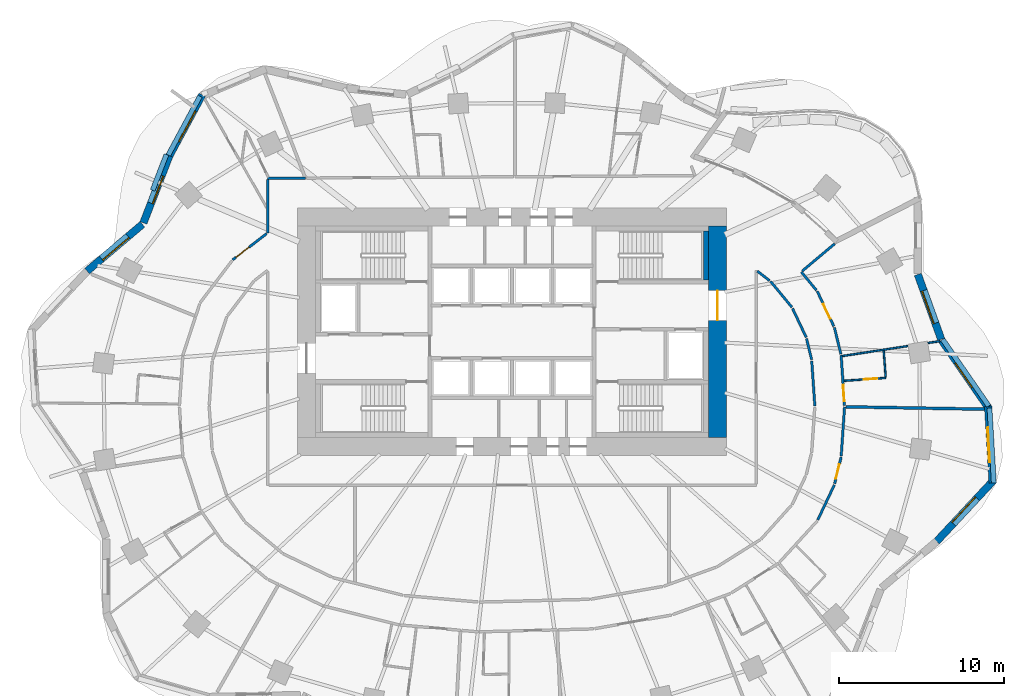
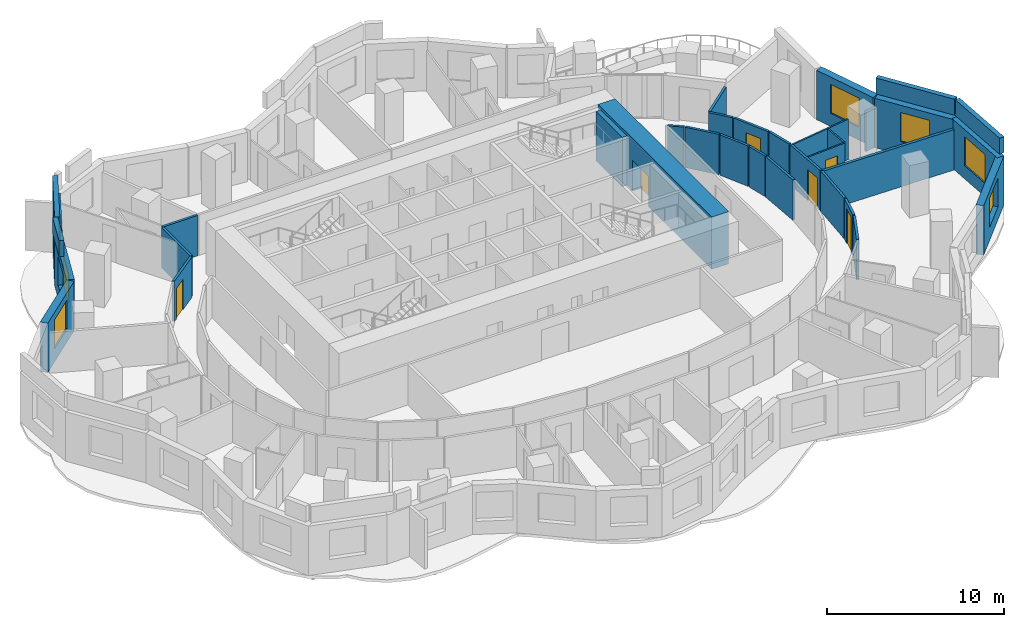
# One storey, part 9 of 14: 34 walls, 7 windows, 6 doors, 13 openings.
"""IFC4 building model written with IfcOpenShell, lengths in metres."""

from ifc_helpers import new_model, si_unit, direction, frame, frame_2d, origin, place, context, subcontext, project, spatial, rectangle, extrude, material, layer, layer_set, type_object, element, fill, save


model = new_model("IFC4")

# Units and contexts
model_context = context("Model", 3, precision=1e-05, world=origin(), true_north=direction((0.0, 1.0)))
body_context = subcontext(model_context, "Body", "Model", "MODEL_VIEW")
ifc_project = project(units=[si_unit("LENGTHUNIT", "METRE"), si_unit("AREAUNIT", "SQUARE_METRE"), si_unit("VOLUMEUNIT", "CUBIC_METRE"), si_unit("PLANEANGLEUNIT", "RADIAN"), si_unit("MASSUNIT", "GRAM", prefix="KILO")], contexts=[model_context])

# Site, building, storey
site_placement = place(None, origin())
site = spatial("IfcSite", under=ifc_project, at=site_placement, CompositionType="ELEMENT")
building_placement = place(site_placement, origin())
building = spatial("IfcBuilding", under=site, at=building_placement, Name="Rubra Terraces Tower", CompositionType="ELEMENT")
storey_placement = place(building_placement, frame((0.0, 0.0, 103.199951171875)))
storey = spatial("IfcBuildingStorey", under=building, at=storey_placement, Name="L24", CompositionType="ELEMENT", Elevation=103.199951171875)

# Wall
ifc_material_1 = material(Name="Twin plasterboard on staggered steel stud, acoustic mineral wool", Category="steel")
ifc_layer_1 = layer(ifc_material_1, 0.175048828125)
ifc_layer_set_1 = layer_set([ifc_layer_1], Name="Twin plasterboard on staggered steel stud, acoustic mineral wool")
wall_type_1 = type_object("IfcWallType", Name="ACOUSTIC PARTY WALL 175", PredefinedType="PARTITIONING", material=ifc_layer_set_1)
wall_1_placement = place(storey_placement, frame((28.623046875, -0.185302734375, 0.0), z_axis=(0.0, 0.0, 1.0), x_axis=(-0.999854560911, 0.017054530925, 0.0)))
element("IfcWall", 1, at=wall_1_placement, inside=storey, type_object=wall_type_1, Name="PARTITION", PredefinedType="PARTITIONING", context=body_context, shape_type="SweptSolid", body=[
    extrude(rectangle(XDim=8.403076171875, YDim=0.175048828125, at=frame_2d((4.20166015625, 0.0))), origin(), (0.0, 0.0, 1.0), 2.783935546875),
])

# Wall, opening, window
ifc_material_2 = material(Name="Brick masonry red-brown", Category="masonry")
ifc_layer_2 = layer(ifc_material_2, 0.449951171875)
ifc_layer_set_2 = layer_set([ifc_layer_2], Name="Brick masonry red-brown")
wall_type_2 = type_object("IfcWallType", Name="Brick facade wall 450", PredefinedType="SOLIDWALL", material=ifc_layer_set_2)
wall_2_placement = place(storey_placement, frame((28.87841796875, -0.122802734375, 0.0), z_axis=(0.0, 0.0, 1.0), x_axis=(-0.569394732999, 0.8220642542, 0.0)))
wall_2 = element("IfcWall", 2, at=wall_2_placement, inside=storey, type_object=wall_type_2, Name="Facade wall L24 bay 1", PredefinedType="SOLIDWALL", context=body_context, shape_type="SweptSolid", body=[
    extrude(rectangle(XDim=5.015869140625, YDim=0.449951171875, at=frame_2d((2.5078125, 0.0))), origin(), (0.0, 0.0, 1.0), 3.400146484375),
])
opening_1_placement = place(wall_2_placement, frame((1.60791015625, 0.0, 0.89990234375)))
opening_1 = element("IfcOpeningElement", 3, at=opening_1_placement, cuts=wall_2, Name="Opening W6", PredefinedType="OPENING", context=body_context, shape_type="SweptSolid", body=[
    extrude(rectangle(XDim=1.800048828125, YDim=2.0, at=frame_2d((0.89990234375, 1.0))), frame((0.0, 0.23486328125, 0.0), z_axis=(0.0, -1.0, 0.0), x_axis=(1.0, 0.0, 0.0)), (0.0, 0.0, 1.0), 0.469970703125),
])
ifc_material_3 = material(Name="Clear glass in aluminium frame", Category="aluminium")
window_type_1 = type_object("IfcWindowType", Name="Fixed deep-set window at wind fin 1800 x 2000", PartitioningType="SINGLE_PANEL", PredefinedType="WINDOW", material=ifc_material_3)
window_1_placement = place(opening_1_placement, origin())
window_1 = element("IfcWindow", 4, at=window_1_placement, inside=storey, type_object=window_type_1, Name="Window L24 bay 1", OverallHeight=2.0, OverallWidth=1.800048828125, PartitioningType="SINGLE_PANEL", PredefinedType="WINDOW", context=body_context, shape_type="SweptSolid", body=[
    extrude(rectangle(XDim=1.800048828125, YDim=2.0, at=frame_2d((0.89990234375, 1.0))), frame((0.0, 0.135009765625, 0.0), z_axis=(0.0, -1.0, 0.0), x_axis=(1.0, 0.0, 0.0)), (0.0, 0.0, 1.0), 0.06005859375),
])
fill(opening_1, window_1)

wall_3_placement = place(storey_placement, frame((25.99951171875, 4.047119140625, 0.0), z_axis=(0.0, 0.0, 1.0), x_axis=(-0.338924456066, 0.940813591037, 0.0)))
wall_3 = element("IfcWall", 5, at=wall_3_placement, inside=storey, type_object=wall_type_2, Name="Facade wall L24 bay 2", PredefinedType="SOLIDWALL", context=body_context, shape_type="SweptSolid", body=[
    extrude(rectangle(XDim=4.175048828125, YDim=0.449951171875, at=frame_2d((2.08740234375, 0.0))), origin(), (0.0, 0.0, 1.0), 3.400146484375),
])
opening_2_placement = place(wall_3_placement, frame((1.03759765625, 0.0, 0.89990234375)))
opening_2 = element("IfcOpeningElement", 6, at=opening_2_placement, cuts=wall_3, Name="Opening W1", PredefinedType="OPENING", context=body_context, shape_type="SweptSolid", body=[
    extrude(rectangle(XDim=2.10009765625, YDim=2.0, at=frame_2d((1.050048828125, 1.0))), frame((0.0, 0.23486328125, 0.0), z_axis=(0.0, -1.0, 0.0), x_axis=(1.0, 0.0, 0.0)), (0.0, 0.0, 1.0), 0.469970703125),
])
window_type_2 = type_object("IfcWindowType", Name="Fixed deep-set window 2100 x 2000", PartitioningType="SINGLE_PANEL", PredefinedType="WINDOW", material=ifc_material_3)
window_2_placement = place(opening_2_placement, origin())
window_2 = element("IfcWindow", 7, at=window_2_placement, inside=storey, type_object=window_type_2, Name="Window L24 bay 2", OverallHeight=2.0, OverallWidth=2.10009765625, PartitioningType="SINGLE_PANEL", PredefinedType="WINDOW", context=body_context, shape_type="SweptSolid", body=[
    extrude(rectangle(XDim=2.10009765625, YDim=2.0, at=frame_2d((1.050048828125, 1.0))), frame((0.0, 0.135009765625, 0.0), z_axis=(0.0, -1.0, 0.0), x_axis=(1.0, 0.0, 0.0)), (0.0, 0.0, 1.0), 0.06005859375),
])
fill(opening_2, window_2)

wall_4_placement = place(storey_placement, frame((-18.767333984375, 18.8544921875, 0.0), z_axis=(0.0, 0.0, 1.0), x_axis=(-0.474475888716, -0.880268499395, 0.0)))
wall_4 = element("IfcWall", 8, at=wall_4_placement, inside=storey, type_object=wall_type_2, Name="Facade wall L24 bay 16", PredefinedType="SOLIDWALL", context=body_context, shape_type="SweptSolid", body=[
    extrude(rectangle(XDim=4.21923828125, YDim=0.449951171875, at=frame_2d((2.109619140625, 0.0))), origin(), (0.0, 0.0, 1.0), 3.400146484375),
])
opening_3_placement = place(wall_4_placement, frame((1.059814453125, 0.0, 0.89990234375)))
opening_3 = element("IfcOpeningElement", 9, at=opening_3_placement, cuts=wall_4, Name="Opening W1", PredefinedType="OPENING", context=body_context, shape_type="SweptSolid", body=[
    extrude(rectangle(XDim=2.10009765625, YDim=2.0, at=frame_2d((1.050048828125, 1.0))), frame((0.0, 0.23486328125, 0.0), z_axis=(0.0, -1.0, 0.0), x_axis=(1.0, 0.0, 0.0)), (0.0, 0.0, 1.0), 0.469970703125),
])
window_3_placement = place(opening_3_placement, origin())
window_3 = element("IfcWindow", 10, at=window_3_placement, inside=storey, type_object=window_type_2, Name="Window L24 bay 16", OverallHeight=2.0, OverallWidth=2.10009765625, PartitioningType="SINGLE_PANEL", PredefinedType="WINDOW", context=body_context, shape_type="SweptSolid", body=[
    extrude(rectangle(XDim=2.10009765625, YDim=2.0, at=frame_2d((1.050048828125, 1.0))), frame((0.0, 0.135009765625, 0.0), z_axis=(0.0, -1.0, 0.0), x_axis=(1.0, 0.0, 0.0)), (0.0, 0.0, 1.0), 0.06005859375),
])
fill(opening_3, window_3)

wall_5_placement = place(storey_placement, frame((-20.757080078125, 15.166015625, 0.0), z_axis=(0.0, 0.0, 1.0), x_axis=(-0.360067043581, -0.932926430179, 0.0)))
wall_5 = element("IfcWall", 11, at=wall_5_placement, inside=storey, type_object=wall_type_2, Name="Facade wall L24 bay 17", PredefinedType="SOLIDWALL", context=body_context, shape_type="SweptSolid", body=[
    extrude(rectangle(XDim=4.35986328125, YDim=0.449951171875, at=frame_2d((2.179931640625, 0.0))), origin(), (0.0, 0.0, 1.0), 3.400146484375),
])
opening_4_placement = place(wall_5_placement, frame((1.27978515625, 0.0, 0.89990234375)))
opening_4 = element("IfcOpeningElement", 12, at=opening_4_placement, cuts=wall_5, Name="Opening W6", PredefinedType="OPENING", context=body_context, shape_type="SweptSolid", body=[
    extrude(rectangle(XDim=1.800048828125, YDim=2.0, at=frame_2d((0.89990234375, 1.0))), frame((0.0, 0.23486328125, 0.0), z_axis=(0.0, -1.0, 0.0), x_axis=(1.0, 0.0, 0.0)), (0.0, 0.0, 1.0), 0.469970703125),
])
window_4_placement = place(opening_4_placement, origin())
window_4 = element("IfcWindow", 13, at=window_4_placement, inside=storey, type_object=window_type_1, Name="Window L24 bay 17", OverallHeight=2.0, OverallWidth=1.800048828125, PartitioningType="SINGLE_PANEL", PredefinedType="WINDOW", context=body_context, shape_type="SweptSolid", body=[
    extrude(rectangle(XDim=1.800048828125, YDim=2.0, at=frame_2d((0.89990234375, 1.0))), frame((0.0, 0.135009765625, 0.0), z_axis=(0.0, -1.0, 0.0), x_axis=(1.0, 0.0, 0.0)), (0.0, 0.0, 1.0), 0.06005859375),
])
fill(opening_4, window_4)

wall_6_placement = place(storey_placement, frame((-22.385986328125, 11.014404296875, 0.0), z_axis=(0.0, 0.0, 1.0), x_axis=(-0.763569952162, -0.645725118108, 0.0)))
wall_6 = element("IfcWall", 14, at=wall_6_placement, inside=storey, type_object=wall_type_2, Name="Facade wall L24 bay 18", PredefinedType="SOLIDWALL", context=body_context, shape_type="SweptSolid", body=[
    extrude(rectangle(XDim=4.3857421875, YDim=0.449951171875, at=frame_2d((2.19287109375, 0.0))), origin(), (0.0, 0.0, 1.0), 3.400146484375),
])
opening_5_placement = place(wall_6_placement, frame((1.14306640625, 0.0, 0.89990234375)))
opening_5 = element("IfcOpeningElement", 15, at=opening_5_placement, cuts=wall_6, Name="Opening W1", PredefinedType="OPENING", context=body_context, shape_type="SweptSolid", body=[
    extrude(rectangle(XDim=2.10009765625, YDim=2.0, at=frame_2d((1.050048828125, 1.0))), frame((0.0, 0.23486328125, 0.0), z_axis=(0.0, -1.0, 0.0), x_axis=(1.0, 0.0, 0.0)), (0.0, 0.0, 1.0), 0.469970703125),
])
window_5_placement = place(opening_5_placement, origin())
window_5 = element("IfcWindow", 16, at=window_5_placement, inside=storey, type_object=window_type_2, Name="Window L24 bay 18", OverallHeight=2.0, OverallWidth=2.10009765625, PartitioningType="SINGLE_PANEL", PredefinedType="WINDOW", context=body_context, shape_type="SweptSolid", body=[
    extrude(rectangle(XDim=2.10009765625, YDim=2.0, at=frame_2d((1.050048828125, 1.0))), frame((0.0, 0.135009765625, 0.0), z_axis=(0.0, -1.0, 0.0), x_axis=(1.0, 0.0, 0.0)), (0.0, 0.0, 1.0), 0.06005859375),
])
fill(opening_5, window_5)

wall_7_placement = place(storey_placement, frame((25.716796875, -8.20068359375, 0.0), z_axis=(0.0, 0.0, 1.0), x_axis=(0.681990073025, 0.731361429319, 0.0)))
wall_7 = element("IfcWall", 17, at=wall_7_placement, inside=storey, type_object=wall_type_2, Name="Facade wall L24 bay 39", PredefinedType="SOLIDWALL", context=body_context, shape_type="SweptSolid", body=[
    extrude(rectangle(XDim=5.063720703125, YDim=0.449951171875, at=frame_2d((2.53173828125, 0.0))), origin(), (0.0, 0.0, 1.0), 3.400146484375),
])
opening_6_placement = place(wall_7_placement, frame((1.481689453125, 0.0, 0.89990234375)))
opening_6 = element("IfcOpeningElement", 18, at=opening_6_placement, cuts=wall_7, Name="Opening W1", PredefinedType="OPENING", context=body_context, shape_type="SweptSolid", body=[
    extrude(rectangle(XDim=2.10009765625, YDim=2.0, at=frame_2d((1.050048828125, 1.0))), frame((0.0, 0.23486328125, 0.0), z_axis=(0.0, -1.0, 0.0), x_axis=(1.0, 0.0, 0.0)), (0.0, 0.0, 1.0), 0.469970703125),
])
window_6_placement = place(opening_6_placement, origin())
window_6 = element("IfcWindow", 19, at=window_6_placement, inside=storey, type_object=window_type_2, Name="Window L24 bay 39", OverallHeight=2.0, OverallWidth=2.10009765625, PartitioningType="SINGLE_PANEL", PredefinedType="WINDOW", context=body_context, shape_type="SweptSolid", body=[
    extrude(rectangle(XDim=2.10009765625, YDim=2.0, at=frame_2d((1.050048828125, 1.0))), frame((0.0, 0.135009765625, 0.0), z_axis=(0.0, -1.0, 0.0), x_axis=(1.0, 0.0, 0.0)), (0.0, 0.0, 1.0), 0.06005859375),
])
fill(opening_6, window_6)

wall_8_placement = place(storey_placement, frame((29.11328125, -4.66015625, 0.0), z_axis=(0.0, 0.0, 1.0), x_axis=(-0.058217785859, 0.998303906338, 0.0)))
wall_8 = element("IfcWall", 20, at=wall_8_placement, inside=storey, type_object=wall_type_2, Name="Facade wall L24 bay 40", PredefinedType="SOLIDWALL", context=body_context, shape_type="SweptSolid", body=[
    extrude(rectangle(XDim=4.65478515625, YDim=0.449951171875, at=frame_2d((2.327392578125, 0.0))), origin(), (0.0, 0.0, 1.0), 3.400146484375),
])
opening_7_placement = place(wall_8_placement, frame((1.27734375, 0.0, 0.89990234375)))
opening_7 = element("IfcOpeningElement", 21, at=opening_7_placement, cuts=wall_8, Name="Opening W1", PredefinedType="OPENING", context=body_context, shape_type="SweptSolid", body=[
    extrude(rectangle(XDim=2.10009765625, YDim=2.0, at=frame_2d((1.050048828125, 1.0))), frame((0.0, 0.23486328125, 0.0), z_axis=(0.0, -1.0, 0.0), x_axis=(1.0, 0.0, 0.0)), (0.0, 0.0, 1.0), 0.469970703125),
])
window_7_placement = place(opening_7_placement, origin())
window_7 = element("IfcWindow", 22, at=window_7_placement, inside=storey, type_object=window_type_2, Name="Window L24 bay 40", OverallHeight=2.0, OverallWidth=2.10009765625, PartitioningType="SINGLE_PANEL", PredefinedType="WINDOW", context=body_context, shape_type="SweptSolid", body=[
    extrude(rectangle(XDim=2.10009765625, YDim=2.0, at=frame_2d((1.050048828125, 1.0))), frame((0.0, 0.135009765625, 0.0), z_axis=(0.0, -1.0, 0.0), x_axis=(1.0, 0.0, 0.0)), (0.0, 0.0, 1.0), 0.06005859375),
])
fill(opening_7, window_7)

# Walls
ifc_layer_3 = layer(ifc_material_2, 0.300048828125)
ifc_layer_set_3 = layer_set([ifc_layer_3], Name="Brick masonry red-brown")
wall_type_3 = type_object("IfcWallType", Name="Brick parapet 300", PredefinedType="PARAPET", material=ifc_layer_set_3)
wall_9_placement = place(storey_placement, frame((28.878662109375, 0.008544921875, 3.60009765625), z_axis=(0.0, 0.0, 1.0), x_axis=(-0.569370412902, 0.822081098744, 0.0)))
element("IfcWall", 23, at=wall_9_placement, inside=storey, type_object=wall_type_3, Name="Parapet L24 bay 1", PredefinedType="PARAPET", context=body_context, shape_type="SweptSolid", body=[
    extrude(rectangle(XDim=4.90576171875, YDim=0.300048828125, at=frame_2d((2.452880859375, 0.0))), origin(), (0.0, 0.0, 1.0), 1.099853515625),
])
wall_10_placement = place(storey_placement, frame((-18.896484375, 18.7734375, 3.60009765625), z_axis=(0.0, 0.0, 1.0), x_axis=(-0.474444905835, -0.880285198857, 0.0)))
element("IfcWall", 24, at=wall_10_placement, inside=storey, type_object=wall_type_3, Name="Parapet L24 bay 16", PredefinedType="PARAPET", context=body_context, shape_type="SweptSolid", body=[
    extrude(rectangle(XDim=4.0498046875, YDim=0.300048828125, at=frame_2d((2.02490234375, 0.0))), origin(), (0.0, 0.0, 1.0), 1.099853515625),
])
wall_11_placement = place(storey_placement, frame((-20.932861328125, 15.236572265625, 3.60009765625), z_axis=(0.0, 0.0, 1.0), x_axis=(-0.360021038217, -0.932944184848, 0.0)))
element("IfcWall", 25, at=wall_11_placement, inside=storey, type_object=wall_type_3, Name="Parapet L24 bay 17", PredefinedType="PARAPET", context=body_context, shape_type="SweptSolid", body=[
    extrude(rectangle(XDim=2.3232421875, YDim=0.300048828125, at=frame_2d((1.16162109375, 0.0))), origin(), (0.0, 0.0, 1.0), 1.099853515625),
])
wall_12_placement = place(storey_placement, frame((29.188232421875, -4.65576171875, 3.60009765625), z_axis=(0.0, 0.0, 1.0), x_axis=(-0.058230319325, 0.998303175349, 0.0)))
element("IfcWall", 26, at=wall_12_placement, inside=storey, type_object=wall_type_3, Name="Parapet L24 bay 40", PredefinedType="PARAPET", context=body_context, shape_type="SweptSolid", body=[
    extrude(rectangle(XDim=4.540771484375, YDim=0.300048828125, at=frame_2d((2.2705078125, 0.0))), origin(), (0.0, 0.0, 1.0), 1.099853515625),
])

# Wall, opening, door
ifc_material_4 = material(Name="Concrete C60", Category="concrete")
ifc_layer_4 = layer(ifc_material_4, 1.10009765625)
ifc_layer_set_4 = layer_set([ifc_layer_4], Name="Concrete C60")
wall_type_4 = type_object("IfcWallType", Name="CORE WALL 1100 C60", PredefinedType="SHEAR", material=ifc_layer_set_4)
wall_13_placement = place(storey_placement, frame((12.449951171875, -1.89990234375, 0.0), z_axis=(0.0, 0.0, 1.0), x_axis=(0.0, 1.0, 0.0)))
wall_13 = element("IfcWall", 27, at=wall_13_placement, inside=storey, type_object=wall_type_4, Name="CORE WALL E L24", PredefinedType="SHEAR", context=body_context, shape_type="SweptSolid", body=[
    extrude(rectangle(XDim=12.7998046875, YDim=1.10009765625, at=frame_2d((6.39990234375, 0.0))), origin(), (0.0, 0.0, 1.0), 3.60009765625),
])
opening_8_placement = place(wall_13_placement, frame((7.10009765625, 0.0, 0.0)))
opening_8 = element("IfcOpeningElement", 28, at=opening_8_placement, cuts=wall_13, Name="Opening L24.C02", PredefinedType="OPENING", context=body_context, shape_type="SweptSolid", body=[
    extrude(rectangle(XDim=1.800048828125, YDim=2.10009765625, at=frame_2d((0.89990234375, 1.050048828125))), frame((0.0, 0.56005859375, 0.0), z_axis=(0.0, -1.0, 0.0), x_axis=(1.0, 0.0, 0.0)), (0.0, 0.0, 1.0), 1.1201171875),
])
ifc_material_5 = material(Name="Painted steel", Category="steel")
door_type_1 = type_object("IfcDoorType", Name="Fire door 1800x2100 double", OperationType="NOTDEFINED", PredefinedType="DOOR", material=ifc_material_5)
door_1_placement = place(opening_8_placement, origin())
door_1 = element("IfcDoor", 29, at=door_1_placement, inside=storey, type_object=door_type_1, Name="Core entrance door FF2", OperationType="DOUBLE_DOOR_SINGLE_SWING", OverallHeight=2.10009765625, OverallWidth=1.800048828125, PredefinedType="DOOR", context=body_context, shape_type="SweptSolid", body=[
    extrude(rectangle(XDim=1.800048828125, YDim=2.10009765625, at=frame_2d((0.89990234375, 1.050048828125))), frame((0.0, 0.02490234375, 0.0), z_axis=(0.0, -1.0, 0.0), x_axis=(1.0, 0.0, 0.0)), (0.0, 0.0, 1.0), 0.050048828125),
])
fill(opening_8, door_1)

# Walls
ifc_material_6 = material(Name="Plasterboard on steel stud, mineral wool infill", Category="steel")
ifc_layer_5 = layer(ifc_material_6, 0.14990234375)
ifc_layer_set_5 = layer_set([ifc_layer_5], Name="Plasterboard on steel stud, mineral wool infill")
wall_type_5 = type_object("IfcWallType", Name="CORRIDOR PARTITION 150", PredefinedType="PARTITIONING", material=ifc_layer_set_5)
wall_14_placement = place(storey_placement, frame((-12.516357421875, 13.814208984375, 0.0), z_axis=(0.0, 0.0, 1.0), x_axis=(-0.999980777107, -0.006200436719, 0.0)))
element("IfcWall", 30, at=wall_14_placement, inside=storey, type_object=wall_type_5, Name="PARTITION", PredefinedType="PARTITIONING", context=body_context, shape_type="SweptSolid", body=[
    extrude(rectangle(XDim=2.28369140625, YDim=0.14990234375, at=frame_2d((1.141845703125, 0.0))), origin(), (0.0, 0.0, 1.0), 2.783935546875),
])
wall_15_placement = place(storey_placement, frame((-14.800048828125, 13.72509765625, 0.0), z_axis=(0.0, 0.0, 1.0), x_axis=(0.0, -1.0, 0.0)))
element("IfcWall", 31, at=wall_15_placement, inside=storey, type_object=wall_type_5, Name="PARTITION", PredefinedType="PARTITIONING", context=body_context, shape_type="SweptSolid", body=[
    extrude(rectangle(XDim=3.228271484375, YDim=0.14990234375, at=frame_2d((1.6142578125, 0.0))), origin(), (0.0, 0.0, 1.0), 2.783935546875),
])

# Wall, opening, door
wall_16_placement = place(storey_placement, frame((-14.859619140625, 10.451171875, 0.0), z_axis=(0.0, 0.0, 1.0), x_axis=(-0.791542595332, -0.611113999001, 0.0)))
wall_16 = element("IfcWall", 32, at=wall_16_placement, inside=storey, type_object=wall_type_5, Name="PARTITION", PredefinedType="PARTITIONING", context=body_context, shape_type="SweptSolid", body=[
    extrude(rectangle(XDim=2.604736328125, YDim=0.14990234375, at=frame_2d((1.30224609375, 0.0))), origin(), (0.0, 0.0, 1.0), 2.783935546875),
])
opening_9_placement = place(wall_16_placement, frame((1.35009765625, 0.0, 0.0)))
opening_9 = element("IfcOpeningElement", 33, at=opening_9_placement, cuts=wall_16, Name="Opening 24-103", PredefinedType="OPENING", context=body_context, shape_type="SweptSolid", body=[
    extrude(rectangle(XDim=1.0, YDim=2.10009765625, at=frame_2d((0.5, 1.050048828125))), frame((0.0, 0.0849609375, 0.0), z_axis=(0.0, -1.0, 0.0), x_axis=(1.0, 0.0, 0.0)), (0.0, 0.0, 1.0), 0.169921875),
])
ifc_material_7 = material(Name="Painted timber door leaf", Category="wood")
door_type_2 = type_object("IfcDoorType", Name="ROOM DOOR 1000 X 2100", OperationType="SINGLE_SWING_LEFT", PredefinedType="DOOR", material=ifc_material_7)
door_2_placement = place(opening_9_placement, origin())
door_2 = element("IfcDoor", 34, at=door_2_placement, inside=storey, type_object=door_type_2, Name="DOOR 24-103", OperationType="SINGLE_SWING_RIGHT", OverallHeight=2.10009765625, OverallWidth=1.0, PredefinedType="DOOR", context=body_context, shape_type="SweptSolid", body=[
    extrude(rectangle(XDim=1.0, YDim=2.10009765625, at=frame_2d((0.5, 1.050048828125))), frame((0.0, 0.02490234375, 0.0), z_axis=(0.0, -1.0, 0.0), x_axis=(1.0, 0.0, 0.0)), (0.0, 0.0, 1.0), 0.050048828125),
])
fill(opening_9, door_2)

# Wall
wall_17_placement = place(storey_placement, frame((18.521728515625, -6.891357421875, 0.0), z_axis=(0.0, 0.0, 1.0), x_axis=(0.428157819028, 0.903703979191, 0.0)))
element("IfcWall", 35, at=wall_17_placement, inside=storey, type_object=wall_type_5, Name="PARTITION", PredefinedType="PARTITIONING", context=body_context, shape_type="SweptSolid", body=[
    extrude(rectangle(XDim=2.349365234375, YDim=0.14990234375, at=frame_2d((1.1748046875, 0.0))), origin(), (0.0, 0.0, 1.0), 2.783935546875),
])

# Wall, opening, door
wall_18_placement = place(storey_placement, frame((19.54541015625, -4.695556640625, 0.0), z_axis=(0.0, 0.0, 1.0), x_axis=(0.23674251562, 0.971572427201, 0.0)))
wall_18 = element("IfcWall", 36, at=wall_18_placement, inside=storey, type_object=wall_type_5, Name="PARTITION", PredefinedType="PARTITIONING", context=body_context, shape_type="SweptSolid", body=[
    extrude(rectangle(XDim=1.6572265625, YDim=0.14990234375, at=frame_2d((0.82861328125, 0.0))), origin(), (0.0, 0.0, 1.0), 2.783935546875),
])
opening_10_placement = place(wall_18_placement, frame((0.300048828125, 0.0, 0.0)))
opening_10 = element("IfcOpeningElement", 37, at=opening_10_placement, cuts=wall_18, Name="Opening 24-121", PredefinedType="OPENING", context=body_context, shape_type="SweptSolid", body=[
    extrude(rectangle(XDim=0.89990234375, YDim=2.39990234375, at=frame_2d((0.449951171875, 1.199951171875))), frame((0.0, 0.0849609375, 0.0), z_axis=(0.0, -1.0, 0.0), x_axis=(1.0, 0.0, 0.0)), (0.0, 0.0, 1.0), 0.169921875),
])
ifc_material_8 = material(Name="Veneered timber door leaf, fire-rated", Category="wood")
door_type_3 = type_object("IfcDoorType", Name="SUITE ENTRANCE DOOR 900 X 2400", OperationType="SINGLE_SWING_LEFT", PredefinedType="DOOR", material=ifc_material_8)
door_3_placement = place(opening_10_placement, origin())
door_3 = element("IfcDoor", 38, at=door_3_placement, inside=storey, type_object=door_type_3, Name="DOOR 24-121", OperationType="SINGLE_SWING_RIGHT", OverallHeight=2.39990234375, OverallWidth=0.89990234375, PredefinedType="DOOR", context=body_context, shape_type="SweptSolid", body=[
    extrude(rectangle(XDim=0.89990234375, YDim=2.39990234375, at=frame_2d((0.449951171875, 1.199951171875))), frame((0.0, 0.02490234375, 0.0), z_axis=(0.0, -1.0, 0.0), x_axis=(1.0, 0.0, 0.0)), (0.0, 0.0, 1.0), 0.050048828125),
])
fill(opening_10, door_3)

# Wall
wall_19_placement = place(storey_placement, frame((19.94287109375, -3.0107421875, 0.0), z_axis=(0.0, 0.0, 1.0), x_axis=(0.068227949942, 0.99766975841, 0.0)))
element("IfcWall", 39, at=wall_19_placement, inside=storey, type_object=wall_type_5, Name="PARTITION", PredefinedType="PARTITIONING", context=body_context, shape_type="SweptSolid", body=[
    extrude(rectangle(XDim=2.97705078125, YDim=0.14990234375, at=frame_2d((1.488525390625, 0.0))), origin(), (0.0, 0.0, 1.0), 2.783935546875),
])

# Wall, opening, door
wall_20_placement = place(storey_placement, frame((20.14111328125, 0.0341796875, 0.0), z_axis=(0.0, 0.0, 1.0), x_axis=(-0.066503114032, 0.997786217496, 0.0)))
wall_20 = element("IfcWall", 40, at=wall_20_placement, inside=storey, type_object=wall_type_5, Name="PARTITION", PredefinedType="PARTITIONING", context=body_context, shape_type="SweptSolid", body=[
    extrude(rectangle(XDim=3.05810546875, YDim=0.14990234375, at=frame_2d((1.529052734375, 0.0))), origin(), (0.0, 0.0, 1.0), 2.783935546875),
])
opening_11_placement = place(wall_20_placement, frame((0.25, 0.0, 0.0)))
opening_11 = element("IfcOpeningElement", 41, at=opening_11_placement, cuts=wall_20, Name="Opening 24-133", PredefinedType="OPENING", context=body_context, shape_type="SweptSolid", body=[
    extrude(rectangle(XDim=1.0, YDim=2.10009765625, at=frame_2d((0.5, 1.050048828125))), frame((0.0, 0.0849609375, 0.0), z_axis=(0.0, -1.0, 0.0), x_axis=(1.0, 0.0, 0.0)), (0.0, 0.0, 1.0), 0.169921875),
])
door_4_placement = place(opening_11_placement, origin())
door_4 = element("IfcDoor", 42, at=door_4_placement, inside=storey, type_object=door_type_2, Name="DOOR 24-133", OperationType="SINGLE_SWING_RIGHT", OverallHeight=2.10009765625, OverallWidth=1.0, PredefinedType="DOOR", context=body_context, shape_type="SweptSolid", body=[
    extrude(rectangle(XDim=1.0, YDim=2.10009765625, at=frame_2d((0.5, 1.050048828125))), frame((0.0, 0.02490234375, 0.0), z_axis=(0.0, -1.0, 0.0), x_axis=(1.0, 0.0, 0.0)), (0.0, 0.0, 1.0), 0.050048828125),
])
fill(opening_11, door_4)

# Wall
wall_21_placement = place(storey_placement, frame((19.919921875, 3.158447265625, 0.0), z_axis=(0.0, 0.0, 1.0), x_axis=(-0.236776405664, 0.971564168607, 0.0)))
element("IfcWall", 43, at=wall_21_placement, inside=storey, type_object=wall_type_5, Name="PARTITION", PredefinedType="PARTITIONING", context=body_context, shape_type="SweptSolid", body=[
    extrude(rectangle(XDim=1.656982421875, YDim=0.14990234375, at=frame_2d((0.82861328125, 0.0))), origin(), (0.0, 0.0, 1.0), 2.783935546875),
])

# Wall, opening, door
wall_22_placement = place(storey_placement, frame((19.495361328125, 4.836181640625, 0.0), z_axis=(0.0, 0.0, 1.0), x_axis=(-0.428157819028, 0.903703979191, 0.0)))
wall_22 = element("IfcWall", 44, at=wall_22_placement, inside=storey, type_object=wall_type_5, Name="PARTITION", PredefinedType="PARTITIONING", context=body_context, shape_type="SweptSolid", body=[
    extrude(rectangle(XDim=2.349365234375, YDim=0.14990234375, at=frame_2d((1.1748046875, 0.0))), origin(), (0.0, 0.0, 1.0), 2.783935546875),
])
opening_12_placement = place(wall_22_placement, frame((0.5009765625, 0.0, 0.0)))
opening_12 = element("IfcOpeningElement", 45, at=opening_12_placement, cuts=wall_22, Name="Opening 24-123", PredefinedType="OPENING", context=body_context, shape_type="SweptSolid", body=[
    extrude(rectangle(XDim=1.0, YDim=2.10009765625, at=frame_2d((0.5, 1.050048828125))), frame((0.0, 0.0849609375, 0.0), z_axis=(0.0, -1.0, 0.0), x_axis=(1.0, 0.0, 0.0)), (0.0, 0.0, 1.0), 0.169921875),
])
door_5_placement = place(opening_12_placement, origin())
door_5 = element("IfcDoor", 46, at=door_5_placement, inside=storey, type_object=door_type_2, Name="DOOR 24-123", OperationType="SINGLE_SWING_RIGHT", OverallHeight=2.10009765625, OverallWidth=1.0, PredefinedType="DOOR", context=body_context, shape_type="SweptSolid", body=[
    extrude(rectangle(XDim=1.0, YDim=2.10009765625, at=frame_2d((0.5, 1.050048828125))), frame((0.0, 0.02490234375, 0.0), z_axis=(0.0, -1.0, 0.0), x_axis=(1.0, 0.0, 0.0)), (0.0, 0.0, 1.0), 0.050048828125),
])
fill(opening_12, door_5)

# Walls
wall_23_placement = place(storey_placement, frame((18.44189453125, 7.01708984375, 0.0), z_axis=(0.0, 0.0, 1.0), x_axis=(-0.636641519729, 0.771159889619, 0.0)))
element("IfcWall", 47, at=wall_23_placement, inside=storey, type_object=wall_type_5, Name="PARTITION", PredefinedType="PARTITIONING", context=body_context, shape_type="SweptSolid", body=[
    extrude(rectangle(XDim=1.446533203125, YDim=0.14990234375, at=frame_2d((0.72314453125, 0.0))), origin(), (0.0, 0.0, 1.0), 2.783935546875),
])
wall_24_placement = place(storey_placement, frame((19.548095703125, 9.836181640625, 0.0), z_axis=(0.0, 0.0, 1.0), x_axis=(-0.765530978387, -0.643399037246, 0.0)))
element("IfcWall", 48, at=wall_24_placement, inside=storey, type_object=wall_type_5, Name="PARTITION", PredefinedType="PARTITIONING", context=body_context, shape_type="SweptSolid", body=[
    extrude(rectangle(XDim=2.57275390625, YDim=0.14990234375, at=frame_2d((1.286376953125, 0.0))), origin(), (0.0, 0.0, 1.0), 2.783935546875),
])
wall_25_placement = place(storey_placement, frame((15.66162109375, 7.557861328125, 0.0), z_axis=(0.0, 0.0, 1.0), x_axis=(0.636500564941, -0.7712762351, 0.0)))
element("IfcWall", 49, at=wall_25_placement, inside=storey, type_object=wall_type_5, Name="PARTITION", PredefinedType="PARTITIONING", context=body_context, shape_type="SweptSolid", body=[
    extrude(rectangle(XDim=2.037841796875, YDim=0.14990234375, at=frame_2d((1.01904296875, 0.0))), origin(), (0.0, 0.0, 1.0), 2.783935546875),
])
wall_26_placement = place(storey_placement, frame((16.990966796875, 5.918212890625, 0.0), z_axis=(0.0, 0.0, 1.0), x_axis=(0.428199863362, -0.903684058185, 0.0)))
element("IfcWall", 50, at=wall_26_placement, inside=storey, type_object=wall_type_5, Name="PARTITION", PredefinedType="PARTITIONING", context=body_context, shape_type="SweptSolid", body=[
    extrude(rectangle(XDim=1.94140625, YDim=0.14990234375, at=frame_2d((0.970703125, 0.0))), origin(), (0.0, 0.0, 1.0), 2.783935546875),
])
wall_27_placement = place(storey_placement, frame((17.840087890625, 4.0908203125, 0.0), z_axis=(0.0, 0.0, 1.0), x_axis=(0.236653741324, -0.971594054489, 0.0)))
element("IfcWall", 51, at=wall_27_placement, inside=storey, type_object=wall_type_5, Name="PARTITION", PredefinedType="PARTITIONING", context=body_context, shape_type="SweptSolid", body=[
    extrude(rectangle(XDim=1.319580078125, YDim=0.14990234375, at=frame_2d((0.65966796875, 0.0))), origin(), (0.0, 0.0, 1.0), 2.783935546875),
])
wall_28_placement = place(storey_placement, frame((18.157470703125, 2.734130859375, 0.0), z_axis=(0.0, 0.0, 1.0), x_axis=(0.068328193832, -0.997662897941, 0.0)))
element("IfcWall", 52, at=wall_28_placement, inside=storey, type_object=wall_type_5, Name="PARTITION", PredefinedType="PARTITIONING", context=body_context, shape_type="SweptSolid", body=[
    extrude(rectangle(XDim=2.740478515625, YDim=0.14990234375, at=frame_2d((1.3701171875, 0.0))), origin(), (0.0, 0.0, 1.0), 2.783935546875),
])
wall_29_placement = place(storey_placement, frame((14.859375, 8.177001953125, 0.0), z_axis=(0.0, 0.0, 1.0), x_axis=(0.791588113465, -0.611055037309, 0.0)))
element("IfcWall", 53, at=wall_29_placement, inside=storey, type_object=wall_type_5, Name="PARTITION", PredefinedType="PARTITIONING", context=body_context, shape_type="SweptSolid", body=[
    extrude(rectangle(XDim=0.9384765625, YDim=0.14990234375, at=frame_2d((0.46923828125, 0.0))), origin(), (0.0, 0.0, 1.0), 2.783935546875),
])
ifc_material_9 = material(Name="Concrete C40", Category="concrete")
ifc_layer_6 = layer(ifc_material_9, 0.300048828125)
ifc_layer_set_6 = layer_set([ifc_layer_6], Name="Concrete C40")
wall_type_6 = type_object("IfcWallType", Name="Core lining wall 300 concrete", PredefinedType="SOLIDWALL", material=ifc_layer_set_6)
wall_30_placement = place(storey_placement, frame((11.75, 10.60009765625, 0.0), z_axis=(0.0, 0.0, 1.0), x_axis=(0.0, -1.0, 0.0)))
element("IfcWall", 54, at=wall_30_placement, inside=storey, type_object=wall_type_6, Name="CORE LINING WALL L24", PredefinedType="SOLIDWALL", context=body_context, shape_type="SweptSolid", body=[
    extrude(rectangle(XDim=2.9501953125, YDim=0.300048828125, at=frame_2d((1.47509765625, 0.0))), origin(), (0.0, 0.0, 1.0), 3.400146484375),
])
ifc_material_10 = material(Name="Plasterboard on steel stud", Category="steel")
ifc_layer_7 = layer(ifc_material_10, 0.10009765625)
ifc_layer_set_7 = layer_set([ifc_layer_7], Name="Plasterboard on steel stud")
wall_type_7 = type_object("IfcWallType", Name="ROOM PARTITION 100", PredefinedType="PARTITIONING", material=ifc_layer_set_7)
wall_31_placement = place(storey_placement, frame((25.9208984375, 3.93505859375, 0.0), z_axis=(0.0, 0.0, 1.0), x_axis=(-0.988603621639, -0.150541951902, 0.0)))
element("IfcWall", 55, at=wall_31_placement, inside=storey, type_object=wall_type_7, Name="PARTITION", PredefinedType="PARTITIONING", context=body_context, shape_type="SweptSolid", body=[
    extrude(rectangle(XDim=0.7265625, YDim=0.10009765625, at=frame_2d((0.36328125, 0.0))), origin(), (0.0, 0.0, 1.0), 2.783935546875),
])
wall_32_placement = place(storey_placement, frame((23.976806640625, 3.638916015625, 0.0), z_axis=(0.0, 0.0, 1.0), x_axis=(-0.988617655188, -0.150449765203, 0.0)))
element("IfcWall", 56, at=wall_32_placement, inside=storey, type_object=wall_type_7, Name="PARTITION", PredefinedType="PARTITIONING", context=body_context, shape_type="SweptSolid", body=[
    extrude(rectangle(XDim=4.006591796875, YDim=0.10009765625, at=frame_2d((2.00341796875, 0.0))), origin(), (0.0, 0.0, 1.0), 2.783935546875),
])

# Wall, opening, door
wall_33_placement = place(storey_placement, frame((20.119140625, 1.533447265625, 0.0), z_axis=(0.0, 0.0, 1.0), x_axis=(0.997620936461, 0.06893813992, 0.0)))
wall_33 = element("IfcWall", 57, at=wall_33_placement, inside=storey, type_object=wall_type_7, Name="PARTITION", PredefinedType="PARTITIONING", context=body_context, shape_type="SweptSolid", body=[
    extrude(rectangle(XDim=2.525146484375, YDim=0.10009765625, at=frame_2d((1.2626953125, 0.0))), origin(), (0.0, 0.0, 1.0), 2.783935546875),
])
opening_13_placement = place(wall_33_placement, frame((1.199951171875, 0.0, 0.0)))
opening_13 = element("IfcOpeningElement", 58, at=opening_13_placement, cuts=wall_33, Name="Opening 24-122", PredefinedType="OPENING", context=body_context, shape_type="SweptSolid", body=[
    extrude(rectangle(XDim=0.800048828125, YDim=2.10009765625, at=frame_2d((0.39990234375, 1.050048828125))), frame((0.0, 0.06005859375, 0.0), z_axis=(0.0, -1.0, 0.0), x_axis=(1.0, 0.0, 0.0)), (0.0, 0.0, 1.0), 0.1201171875),
])
door_type_4 = type_object("IfcDoorType", Name="BATHROOM DOOR 800 X 2100", OperationType="SINGLE_SWING_LEFT", PredefinedType="DOOR", material=ifc_material_7)
door_6_placement = place(opening_13_placement, origin())
door_6 = element("IfcDoor", 59, at=door_6_placement, inside=storey, type_object=door_type_4, Name="DOOR 24-122", OperationType="SINGLE_SWING_LEFT", OverallHeight=2.10009765625, OverallWidth=0.800048828125, PredefinedType="DOOR", context=body_context, shape_type="SweptSolid", body=[
    extrude(rectangle(XDim=0.800048828125, YDim=2.10009765625, at=frame_2d((0.39990234375, 1.050048828125))), frame((0.0, 0.02490234375, 0.0), z_axis=(0.0, -1.0, 0.0), x_axis=(1.0, 0.0, 0.0)), (0.0, 0.0, 1.0), 0.050048828125),
])
fill(opening_13, door_6)

# Wall
wall_34_placement = place(storey_placement, frame((22.634521484375, 1.75732421875, 0.0), z_axis=(0.0, 0.0, 1.0), x_axis=(-0.073548367602, 0.997291651235, 0.0)))
element("IfcWall", 60, at=wall_34_placement, inside=storey, type_object=wall_type_7, Name="PARTITION", PredefinedType="PARTITIONING", context=body_context, shape_type="SweptSolid", body=[
    extrude(rectangle(XDim=1.61328125, YDim=0.10009765625, at=frame_2d((0.806640625, 0.0))), origin(), (0.0, 0.0, 1.0), 2.783935546875),
])

save(model, "model.ifc")
